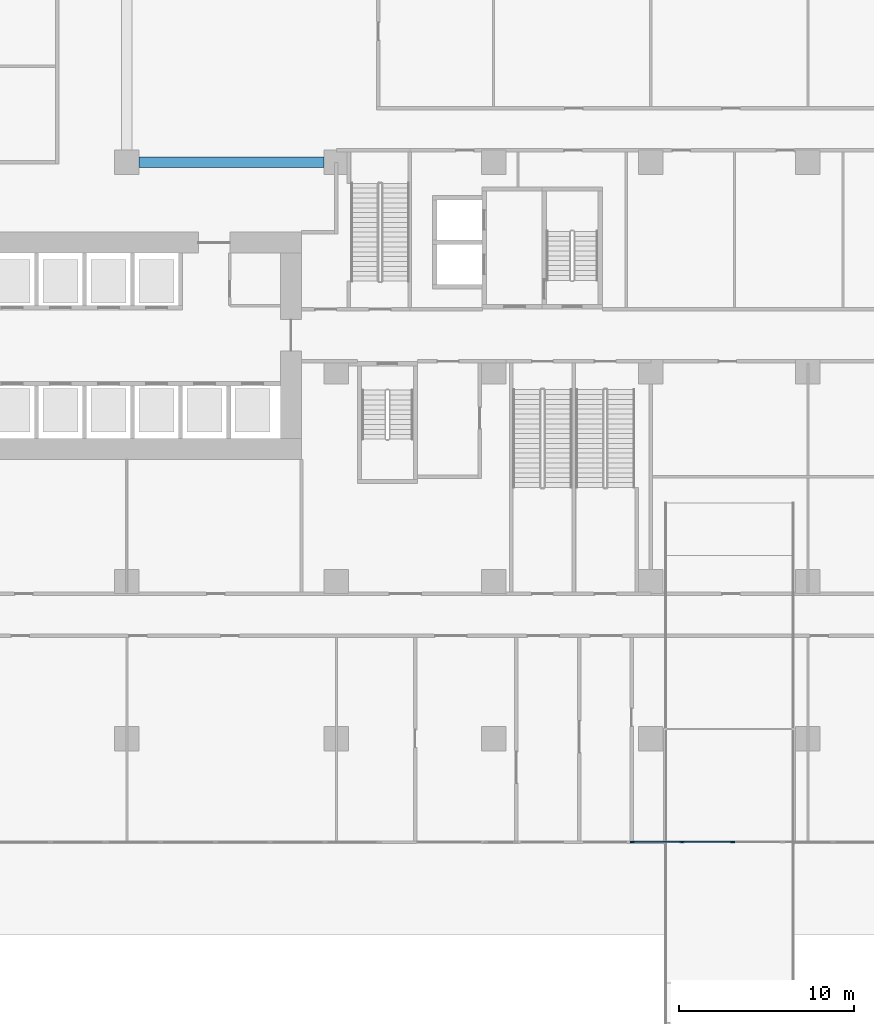
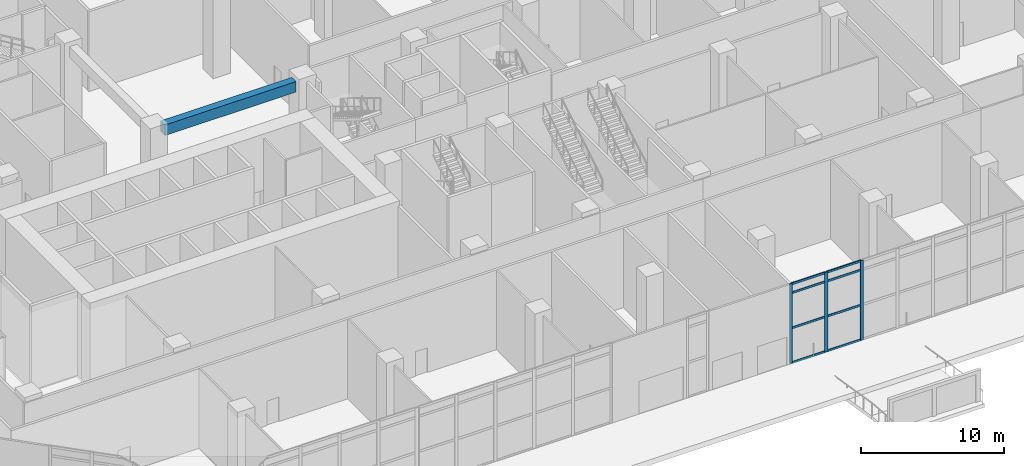
# One storey, part 5 of 34: 11 members, 1 beam, 1 element without a shape of its own.
"""IFC4 building model written with IfcOpenShell, lengths in metres."""

from ifc_helpers import new_model, si_unit, direction, frame, origin, origin_2d, place, context, subcontext, project, spatial, rectangle, extrude, material, layer, layer_set, material_profile, profile_set, type_object, element, aggregate, save


model = new_model("IFC4")

# Units and contexts
model_context = context("Model", 3, precision=1e-05, world=origin(), true_north=direction((0.0, 1.0)))
body_context = subcontext(model_context, "Body", "Model", "MODEL_VIEW")
ifc_project = project(units=[si_unit("LENGTHUNIT", "METRE"), si_unit("AREAUNIT", "SQUARE_METRE"), si_unit("VOLUMEUNIT", "CUBIC_METRE"), si_unit("PLANEANGLEUNIT", "RADIAN"), si_unit("MASSUNIT", "GRAM", prefix="KILO")], contexts=[model_context])

# Site, building, storey
site_placement = place(None, origin())
site = spatial("IfcSite", under=ifc_project, at=site_placement, CompositionType="ELEMENT")
building_placement = place(site_placement, origin())
building = spatial("IfcBuilding", under=site, at=building_placement, Name="Chenar Terraces", CompositionType="ELEMENT")
storey_placement = place(building_placement, origin())
storey = spatial("IfcBuildingStorey", under=building, at=storey_placement, Name="L00", CompositionType="ELEMENT", Elevation=0.0)

# Beam
ifc_material_1 = material(Name="Concrete C40/50", Category="concrete")
ifc_material_profile_1 = material_profile(ifc_material_1, rectangle(XDim=0.60009765625, YDim=0.89990234375, at=origin_2d()), Name="RC 600 x 900")
ifc_profile_set_1 = profile_set([ifc_material_profile_1], Name="Concrete C40/50")
beam_type = type_object("IfcBeamType", Name="Atrium edge beam 600 x 900 Concrete C40/50", PredefinedType="BEAM", material=ifc_profile_set_1)
beam_placement = place(storey_placement, frame((24.699951171875, 24.0, 6.35009765625), z_axis=(1.0, 0.0, 0.0), x_axis=(0.0, 1.0, 0.0)))
element("IfcBeam", 1, at=beam_placement, inside=storey, type_object=beam_type, Name="Atrium edge beam L01 1", PredefinedType="BEAM", context=body_context, shape_type="SweptSolid", body=[
    extrude(rectangle(XDim=0.60009765625, YDim=0.89990234375, at=origin_2d()), origin(), (0.0, 0.0, 1.0), 10.60009765625),
])

# Curtain wall, members
ifc_material_2 = material(Name="Aluminium framed glazing", Category="aluminium")
ifc_layer = layer(ifc_material_2, 0.14990234375)
ifc_layer_set = layer_set([ifc_layer], Name="Aluminium framed glazing")
curtain_wall_type = type_object("IfcCurtainWallType", Name="Lobby curtain wall", PredefinedType="NOTDEFINED", material=ifc_layer_set)
curtain_wall_placement = place(storey_placement, origin())
curtain_wall = element("IfcCurtainWall", 2, at=curtain_wall_placement, inside=storey, type_object=curtain_wall_type, Name="Lobby curtain wall", PredefinedType="NOTDEFINED")
ifc_material_3 = material(Name="Aluminium", Category="aluminium")
ifc_material_profile_2 = material_profile(ifc_material_3, rectangle(XDim=0.080078125, YDim=0.25, at=origin_2d()), Name="Lobby glazing mullion 80 x 250")
ifc_profile_set_2 = profile_set([ifc_material_profile_2], Name="Aluminium")
member_type_1 = type_object("IfcMemberType", Name="Lobby glazing mullion 80 x 250", PredefinedType="MULLION", material=ifc_profile_set_2)
member_1_placement = place(storey_placement, frame((52.952392578125, -14.925048828125, 0.0), z_axis=(0.0, 0.0, 1.0), x_axis=(0.0, 1.0, 0.0)))
member_1 = element("IfcMember", 3, at=member_1_placement, type_object=member_type_1, Name="CW6-06p30 mullion 1", PredefinedType="MULLION", context=body_context, shape_type="SweptSolid", body=[
    extrude(rectangle(XDim=0.080078125, YDim=0.25, at=origin_2d()), origin(), (0.0, 0.0, 1.0), 6.800048828125),
])
member_2_placement = place(storey_placement, frame((55.791259765625, -14.925048828125, 0.0), z_axis=(0.0, 0.0, 1.0), x_axis=(0.0, 1.0, 0.0)))
member_2 = element("IfcMember", 4, at=member_2_placement, type_object=member_type_1, Name="CW6-06p30 mullion 2", PredefinedType="MULLION", context=body_context, shape_type="SweptSolid", body=[
    extrude(rectangle(XDim=0.080078125, YDim=0.25, at=origin_2d()), origin(), (0.0, 0.0, 1.0), 6.800048828125),
])
member_3_placement = place(storey_placement, frame((58.669921875, -14.925048828125, 0.0), z_axis=(0.0, 0.0, 1.0), x_axis=(0.0, 1.0, 0.0)))
member_3 = element("IfcMember", 5, at=member_3_placement, type_object=member_type_1, Name="CW6-06p30 mullion 3", PredefinedType="MULLION", context=body_context, shape_type="SweptSolid", body=[
    extrude(rectangle(XDim=0.080078125, YDim=0.25, at=origin_2d()), origin(), (0.0, 0.0, 1.0), 6.800048828125),
])
ifc_material_4 = material(Name="Aluminium", Category="aluminium")
ifc_material_profile_3 = material_profile(ifc_material_4, rectangle(XDim=0.080078125, YDim=0.179931640625, at=origin_2d()), Name="Lobby glazing transom 80 x 180")
ifc_profile_set_3 = profile_set([ifc_material_profile_3], Name="Aluminium")
member_type_2 = type_object("IfcMemberType", Name="Lobby glazing transom 80 x 180", PredefinedType="USERDEFINED", material=ifc_profile_set_3)
member_4_placement = place(storey_placement, frame((52.992431640625, -14.925048828125, 0.0400390625), z_axis=(1.0, 0.0, 0.0), x_axis=(0.0, 1.0, 0.0)))
member_4 = element("IfcMember", 6, at=member_4_placement, type_object=member_type_2, Name="CW6-06p30 transom 1.1", ObjectType="TRANSOM", PredefinedType="USERDEFINED", context=body_context, shape_type="SweptSolid", body=[
    extrude(rectangle(XDim=0.080078125, YDim=0.179931640625, at=origin_2d()), origin(), (0.0, 0.0, 1.0), 2.7587890625),
])
member_5_placement = place(storey_placement, frame((52.992431640625, -14.925048828125, 3.0), z_axis=(1.0, 0.0, 0.0), x_axis=(0.0, 1.0, 0.0)))
member_5 = element("IfcMember", 7, at=member_5_placement, type_object=member_type_2, Name="CW6-06p30 transom 1.2", ObjectType="TRANSOM", PredefinedType="USERDEFINED", context=body_context, shape_type="SweptSolid", body=[
    extrude(rectangle(XDim=0.080078125, YDim=0.179931640625, at=origin_2d()), origin(), (0.0, 0.0, 1.0), 2.7587890625),
])
member_6_placement = place(storey_placement, frame((52.992431640625, -14.925048828125, 6.0), z_axis=(1.0, 0.0, 0.0), x_axis=(0.0, 1.0, 0.0)))
member_6 = element("IfcMember", 8, at=member_6_placement, type_object=member_type_2, Name="CW6-06p30 transom 1.3", ObjectType="TRANSOM", PredefinedType="USERDEFINED", context=body_context, shape_type="SweptSolid", body=[
    extrude(rectangle(XDim=0.080078125, YDim=0.179931640625, at=origin_2d()), origin(), (0.0, 0.0, 1.0), 2.7587890625),
])
member_7_placement = place(storey_placement, frame((52.992431640625, -14.925048828125, 6.760009765625), z_axis=(1.0, 0.0, 0.0), x_axis=(0.0, 1.0, 0.0)))
member_7 = element("IfcMember", 9, at=member_7_placement, type_object=member_type_2, Name="CW6-06p30 transom 1.4", ObjectType="TRANSOM", PredefinedType="USERDEFINED", context=body_context, shape_type="SweptSolid", body=[
    extrude(rectangle(XDim=0.080078125, YDim=0.179931640625, at=origin_2d()), origin(), (0.0, 0.0, 1.0), 2.7587890625),
])
member_8_placement = place(storey_placement, frame((55.8310546875, -14.925048828125, 0.0400390625), z_axis=(1.0, 0.0, 0.0), x_axis=(0.0, 1.0, 0.0)))
member_8 = element("IfcMember", 10, at=member_8_placement, type_object=member_type_2, Name="CW6-06p30 transom 2.1", ObjectType="TRANSOM", PredefinedType="USERDEFINED", context=body_context, shape_type="SweptSolid", body=[
    extrude(rectangle(XDim=0.080078125, YDim=0.179931640625, at=origin_2d()), origin(), (0.0, 0.0, 1.0), 2.798828125),
])
member_9_placement = place(storey_placement, frame((55.8310546875, -14.925048828125, 3.0), z_axis=(1.0, 0.0, 0.0), x_axis=(0.0, 1.0, 0.0)))
member_9 = element("IfcMember", 11, at=member_9_placement, type_object=member_type_2, Name="CW6-06p30 transom 2.2", ObjectType="TRANSOM", PredefinedType="USERDEFINED", context=body_context, shape_type="SweptSolid", body=[
    extrude(rectangle(XDim=0.080078125, YDim=0.179931640625, at=origin_2d()), origin(), (0.0, 0.0, 1.0), 2.798828125),
])
member_10_placement = place(storey_placement, frame((55.8310546875, -14.925048828125, 6.0), z_axis=(1.0, 0.0, 0.0), x_axis=(0.0, 1.0, 0.0)))
member_10 = element("IfcMember", 12, at=member_10_placement, type_object=member_type_2, Name="CW6-06p30 transom 2.3", ObjectType="TRANSOM", PredefinedType="USERDEFINED", context=body_context, shape_type="SweptSolid", body=[
    extrude(rectangle(XDim=0.080078125, YDim=0.179931640625, at=origin_2d()), origin(), (0.0, 0.0, 1.0), 2.798828125),
])
member_11_placement = place(storey_placement, frame((55.8310546875, -14.925048828125, 6.760009765625), z_axis=(1.0, 0.0, 0.0), x_axis=(0.0, 1.0, 0.0)))
member_11 = element("IfcMember", 13, at=member_11_placement, type_object=member_type_2, Name="CW6-06p30 transom 2.4", ObjectType="TRANSOM", PredefinedType="USERDEFINED", context=body_context, shape_type="SweptSolid", body=[
    extrude(rectangle(XDim=0.080078125, YDim=0.179931640625, at=origin_2d()), origin(), (0.0, 0.0, 1.0), 2.798828125),
])
aggregate(curtain_wall, [member_1, member_2, member_3, member_4, member_5, member_6, member_7, member_8, member_9, member_10, member_11])

save(model, "model.ifc")
